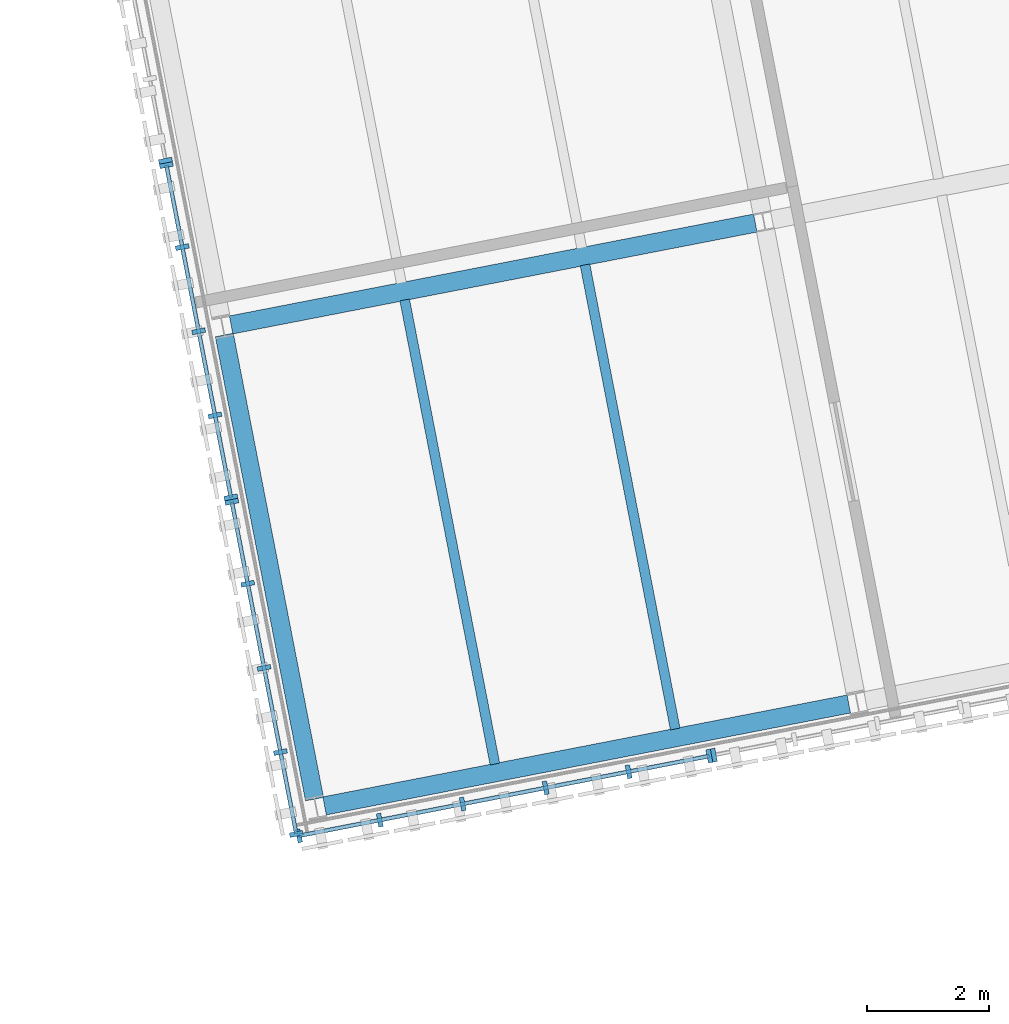
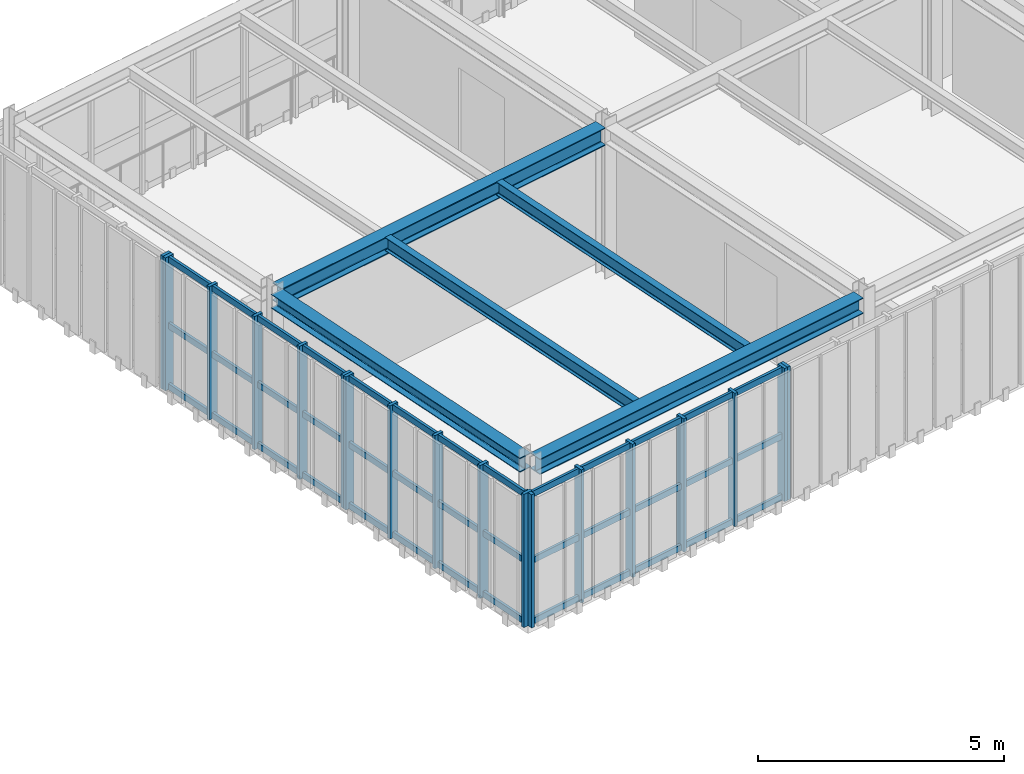
# One storey, part 11 of 44: 27 members, 5 beams, 5 elements without a shape of their own.
"""IFC4 building model written with IfcOpenShell, lengths in metres."""

import ifcopenshell
import ifcopenshell.guid

model = None  # the IFC model being written
_history = None  # IfcOwnerHistory: only IFC2X3 demands one
_inside = {}  # id of a spatial element -> (the spatial element, [elements in it])
_under = {}  # id of a project, library or spatial element -> (it, [spatial elements below it])
_declared = {}  # id of a project -> (the project, [libraries it declares])
_typed = {}  # id of a type object -> (the type object, [elements of that type])
_made_of = {}  # id of a material, layer set ... -> (it, [elements and type objects made of it])


def new_model(schema):
    """Start an empty IFC model of exactly this schema.

    Asked for "IFC4X3", IfcOpenShell would pick the latest addendum, in which some entities
    have other attributes; the version numbers below select the first issue.
    IFC2X3 requires an IfcOwnerHistory on every rooted entity: one is made here for all.
    """
    global model, _history
    if schema == "IFC4X3":
        model = ifcopenshell.file(schema_version=(4, 3, 0, 0))
    else:
        model = ifcopenshell.file(schema=schema)
    _inside.clear()
    _under.clear()
    _declared.clear()
    _typed.clear()
    _made_of.clear()
    _history = None
    if model.schema == "IFC2X3":
        org = make("IfcOrganization", Name="unknown")
        user = make(
            "IfcPersonAndOrganization",
            ThePerson=make("IfcPerson", FamilyName="unknown"),
            TheOrganization=org,
        )
        app = make(
            "IfcApplication",
            ApplicationDeveloper=org,
            Version="unknown",
            ApplicationFullName="unknown",
            ApplicationIdentifier="unknown",
        )
        _history = make(
            "IfcOwnerHistory",
            OwningUser=user,
            OwningApplication=app,
            ChangeAction="ADDED",
            CreationDate=0,
        )
    return model


def make(cls, **values):
    """One entity of the class cls with the attributes given. An attribute that is None is left unset."""
    return model.create_entity(
        cls, **{name: value for name, value in values.items() if value is not None}
    )


def rooted(cls, **values):
    """An entity with a GlobalId (a new one), such as an element, a storey or a relation."""
    return make(cls, GlobalId=ifcopenshell.guid.new(), OwnerHistory=_history, **values)


def si_unit(unit_type, name, prefix=None):
    """IfcSIUnit, for example si_unit("LENGTHUNIT", "METRE", prefix="MILLI")."""
    return make("IfcSIUnit", UnitType=unit_type, Prefix=prefix, Name=name)


def assignment(units):
    """IfcUnitAssignment: the units of a project."""
    return None if units is None else make("IfcUnitAssignment", Units=units)


def point(xyz):
    """IfcCartesianPoint."""
    return None if xyz is None else make("IfcCartesianPoint", Coordinates=xyz)


def direction(xyz):
    """IfcDirection."""
    return None if xyz is None else make("IfcDirection", DirectionRatios=xyz)


def frame(location, z_axis=None, x_axis=None):
    """IfcAxis2Placement3D, a coordinate frame: its origin and axes. An axis left out is left unset."""
    return make(
        "IfcAxis2Placement3D",
        Location=point(location),
        Axis=direction(z_axis),
        RefDirection=direction(x_axis),
    )


def frame_2d(location, x_axis=None):
    """IfcAxis2Placement2D, a coordinate frame in the plane: its origin and x axis."""
    return make(
        "IfcAxis2Placement2D", Location=point(location), RefDirection=direction(x_axis)
    )


def origin():
    """The frame at (0, 0, 0) with its axes left unset."""
    return frame((0.0, 0.0, 0.0))


def origin_2d():
    """The frame at (0, 0) in the plane with its x axis left unset."""
    return frame_2d((0.0, 0.0))


def place(relative_to, where):
    """IfcLocalPlacement: puts the frame where relative to a parent placement (None: the world)."""
    return make(
        "IfcLocalPlacement", PlacementRelTo=relative_to, RelativePlacement=where
    )


def context(
    kind, dimensions, precision=None, world=None, true_north=None, identifier=None
):
    """IfcGeometricRepresentationContext, for example the 3D "Model" context."""
    return make(
        "IfcGeometricRepresentationContext",
        ContextIdentifier=identifier,
        ContextType=kind,
        CoordinateSpaceDimension=dimensions,
        Precision=precision,
        WorldCoordinateSystem=world,
        TrueNorth=true_north,
    )


def subcontext(parent, identifier, kind, view, scale=None):
    """IfcGeometricRepresentationSubContext, for example "Body" below "Model"."""
    return make(
        "IfcGeometricRepresentationSubContext",
        ContextIdentifier=identifier,
        ContextType=kind,
        ParentContext=parent,
        TargetScale=scale,
        TargetView=view,
    )


def project(units=None, contexts=None):
    """IfcProject with its units and contexts."""
    return rooted(
        "IfcProject",
        Name="project",
        RepresentationContexts=contexts,
        UnitsInContext=assignment(units),
    )


def spatial(cls, under=None, at=None, **own):
    """A site, building, storey or space (cls), placed at a placement, below another one or the project."""
    s = rooted(cls, ObjectPlacement=at, **own)
    if under is not None:
        _under.setdefault(under.id(), (under, []))[1].append(s)
    return s


def profile(cls, at=None, kind="AREA", **sizes):
    """A parametric profile (cls). Its sizes go by their IFC names, for example OverallWidth=200.0."""
    return make(cls, ProfileType=kind, Position=at, **sizes)


def rectangle(**sizes):
    """IfcRectangleProfileDef."""
    return profile("IfcRectangleProfileDef", **sizes)


def i_section(**sizes):
    """IfcIShapeProfileDef."""
    return profile("IfcIShapeProfileDef", **sizes)


def extrude(swept, where, along, depth):
    """IfcExtrudedAreaSolid: the profile swept, set in the frame where, extruded along a direction by depth."""
    return make(
        "IfcExtrudedAreaSolid",
        SweptArea=swept,
        Position=where,
        ExtrudedDirection=direction(along),
        Depth=depth,
    )


def shape(context_of_items, identifier, shape_type, items):
    """IfcShapeRepresentation: the items that make up one representation, for example the "Body"."""
    return make(
        "IfcShapeRepresentation",
        ContextOfItems=context_of_items,
        RepresentationIdentifier=identifier,
        RepresentationType=shape_type,
        Items=items,
    )


def material(Name=None, Category=None):
    """IfcMaterial."""
    return make("IfcMaterial", Name=Name, Category=Category)


def material_profile(
    of_material, cross_section, Name=None, Category=None, Priority=None
):
    """IfcMaterialProfile: a cross section and its material."""
    return make(
        "IfcMaterialProfile",
        Name=Name,
        Material=of_material,
        Profile=cross_section,
        Priority=Priority,
        Category=Category,
    )


def profile_set(profiles, Name=None, composite=None):
    """IfcMaterialProfileSet."""
    return make(
        "IfcMaterialProfileSet",
        Name=Name,
        MaterialProfiles=profiles,
        CompositeProfile=composite,
    )


def made_of(thing, what):
    """Note that an element or type object is made of a material, layer set ...; save() writes the relation."""
    if what is not None:
        _made_of.setdefault(what.id(), (what, []))[1].append(thing)
    return thing


def type_object(cls, material=None, **own):
    """A type object (cls), such as IfcWallType, which elements share."""
    return made_of(rooted(cls, **own), material)


def element(
    cls,
    number,
    at=None,
    inside=None,
    cuts=None,
    type_object=None,
    material=None,
    context=None,
    identifier="Body",
    shape_type=None,
    held_by="IfcProductDefinitionShape",
    body=None,
    shapes=None,
    **own,
):
    """One element of the class cls, such as IfcWall. Its Tag is "e" and its number.

    at: its placement. inside: the storey or other place that contains it. cuts: it is an
    opening in that element (IfcRelVoidsElement). A single representation is given by context,
    identifier, shape_type and body (its items); several are given by shapes. held_by: the class
    of the entity that holds the representations. save() writes the other relations.
    """
    e = rooted(cls, Tag="e%d" % number, ObjectPlacement=at, **own)
    if body is not None:
        shapes = [shape(context, identifier, shape_type, body)]
    if shapes is not None:
        e.Representation = make(held_by, Representations=shapes)
    if inside is not None:
        _inside.setdefault(inside.id(), (inside, []))[1].append(e)
    if cuts is not None:
        rooted(
            "IfcRelVoidsElement", RelatingBuildingElement=cuts, RelatedOpeningElement=e
        )
    if type_object is not None:
        _typed.setdefault(type_object.id(), (type_object, []))[1].append(e)
    return made_of(e, material)


def aggregate(whole, parts):
    """IfcRelAggregates: a whole, such as a stair, and the parts it consists of."""
    return rooted("IfcRelAggregates", RelatingObject=whole, RelatedObjects=parts)


def save(model, path):
    """Write the relations noted so far, then the file.

    IfcRelAggregates (storeys below a building ...), IfcRelContainedInSpatialStructure (elements
    in a storey), IfcRelDefinesByType, IfcRelAssociatesMaterial and IfcRelDeclares: one each for
    every whole, place, type object, material and project.
    """
    for whole, parts in _under.values():
        aggregate(whole, parts)
    for where, things in _inside.values():
        rooted(
            "IfcRelContainedInSpatialStructure",
            RelatedElements=things,
            RelatingStructure=where,
        )
    for kind, things in _typed.values():
        rooted("IfcRelDefinesByType", RelatedObjects=things, RelatingType=kind)
    for what, things in _made_of.values():
        rooted("IfcRelAssociatesMaterial", RelatedObjects=things, RelatingMaterial=what)
    for by, libraries in _declared.values():
        rooted("IfcRelDeclares", RelatingContext=by, RelatedDefinitions=libraries)
    model.write(path)


model = new_model("IFC4")

# Units and contexts
model_context = context("Model", 3, precision=1e-05, world=origin(), true_north=direction((0.0, 1.0)))
body_context = subcontext(model_context, "Body", "Model", "MODEL_VIEW")
ifc_project = project(units=[si_unit("LENGTHUNIT", "METRE"), si_unit("AREAUNIT", "SQUARE_METRE"), si_unit("VOLUMEUNIT", "CUBIC_METRE"), si_unit("PLANEANGLEUNIT", "RADIAN"), si_unit("MASSUNIT", "GRAM", prefix="KILO")], contexts=[model_context])

# Site, building, storey
site_placement = place(None, origin())
site = spatial("IfcSite", under=ifc_project, at=site_placement, CompositionType="ELEMENT")
building_placement = place(site_placement, origin())
building = spatial("IfcBuilding", under=site, at=building_placement, Name="Varnklinge Art Gallery", CompositionType="ELEMENT")
storey_placement = place(building_placement, frame((0.0, 0.0, 13.679931640625)))
storey = spatial("IfcBuildingStorey", under=building, at=storey_placement, Name="L03", CompositionType="ELEMENT", Elevation=13.679931640625)

# Beams
ifc_material_1 = material(Name="Steel S355", Category="steel")
ifc_material_profile_1 = material_profile(ifc_material_1, i_section(OverallWidth=0.300048828125, OverallDepth=0.43994140625, WebThickness=0.011474609375, FlangeThickness=0.02099609375, FilletRadius=0.027099609375, at=origin_2d()), Name="HEA 450")
ifc_profile_set_1 = profile_set([ifc_material_profile_1], Name="Steel S355")
beam_type_1 = type_object("IfcBeamType", Name="BM-08", PredefinedType="BEAM", material=ifc_profile_set_1)
beam_1_placement = place(storey_placement, frame((62.483642578125, 69.969970703125, 3.5400390625), z_axis=(0.981628064538, 0.190804462503, 0.0), x_axis=(-0.190804462503, 0.981628064538, 0.0)))
element("IfcBeam", 1, at=beam_1_placement, inside=storey, type_object=beam_type_1, Name="L03 BM-08 BM-V4B-L04-U1-0", PredefinedType="BEAM", context=body_context, shape_type="SweptSolid", body=[
    extrude(i_section(OverallWidth=0.300048828125, OverallDepth=0.43994140625, WebThickness=0.011474609375, FlangeThickness=0.02099609375, FilletRadius=0.027099609375, at=origin_2d()), origin(), (0.0, 0.0, 1.0), 8.719970703125),
])
ifc_material_2 = material(Name="Steel S355", Category="steel")
ifc_material_profile_2 = material_profile(ifc_material_2, i_section(OverallWidth=0.159912109375, OverallDepth=0.330078125, WebThickness=0.007568359375, FlangeThickness=0.011474609375, FilletRadius=0.01806640625, at=origin_2d()), Name="IPE 330")
ifc_profile_set_2 = profile_set([ifc_material_profile_2], Name="Steel S355")
beam_type_2 = type_object("IfcBeamType", Name="JST-07", PredefinedType="JOIST", material=ifc_profile_set_2)
beam_2_placement = place(storey_placement, frame((66.791015625, 62.800048828125, 3.594970703125), z_axis=(-0.190822257393, 0.98162460548, 0.0), x_axis=(-0.98162460548, -0.190822257393, 0.0)))
element("IfcBeam", 2, at=beam_2_placement, inside=storey, type_object=beam_type_2, Name="L03 JST-07 JST-V4B-L04-0-0-1", PredefinedType="JOIST", context=body_context, shape_type="SweptSolid", body=[
    extrude(i_section(OverallWidth=0.159912109375, OverallDepth=0.330078125, WebThickness=0.007568359375, FlangeThickness=0.011474609375, FilletRadius=0.01806640625, at=origin_2d()), origin(), (0.0, 0.0, 1.0), 7.719970703125),
])
beam_3_placement = place(storey_placement, frame((69.735595703125, 63.372314453125, 3.594970703125), z_axis=(-0.190785861445, 0.981631679946, 0.0), x_axis=(-0.981631679946, -0.190785861445, 0.0)))
element("IfcBeam", 3, at=beam_3_placement, inside=storey, type_object=beam_type_2, Name="L03 JST-07 JST-V4B-L04-0-0-2", PredefinedType="JOIST", context=body_context, shape_type="SweptSolid", body=[
    extrude(i_section(OverallWidth=0.159912109375, OverallDepth=0.330078125, WebThickness=0.007568359375, FlangeThickness=0.011474609375, FilletRadius=0.01806640625, at=origin_2d()), origin(), (0.0, 0.0, 1.0), 7.72021484375),
])

# Curtain wall, members
ifc_material_3 = material(Name="Anodised Aluminium", Category="aluminium")
curtain_wall_type_1 = type_object("IfcCurtainWallType", Name="CW-L04", PredefinedType="USERDEFINED", material=ifc_material_3)
curtain_wall_1_placement = place(storey_placement, origin())
curtain_wall_1 = element("IfcCurtainWall", 4, at=curtain_wall_1_placement, inside=storey, type_object=curtain_wall_type_1, Name="L03 Curtain Wall CW-V4B-L03-1-1-1", ObjectType="UNITISED CURTAIN WALL", PredefinedType="USERDEFINED")
ifc_material_4 = material(Name="Anodised Aluminium", Category="aluminium")
ifc_material_profile_3 = material_profile(ifc_material_4, rectangle(XDim=0.074951171875, YDim=0.219970703125, at=origin_2d()), Name="ALU 75x220")
ifc_profile_set_3 = profile_set([ifc_material_profile_3], Name="Anodised Aluminium")
member_type_1 = type_object("IfcMemberType", Name="MUL-02", PredefinedType="MULLION", material=ifc_profile_set_3)
member_1_placement = place(storey_placement, frame((63.593017578125, 61.62841796875, 0.0), z_axis=(0.0, 0.0, 1.0), x_axis=(0.981627183448, 0.190808995377, 0.0)))
member_1 = element("IfcMember", 5, at=member_1_placement, type_object=member_type_1, Name="CW-V4B-L03-1-1-1 Mullion 1", PredefinedType="MULLION", context=body_context, shape_type="SweptSolid", body=[
    extrude(rectangle(XDim=0.074951171875, YDim=0.219970703125, at=origin_2d()), origin(), (0.0, 0.0, 1.0), 3.31005859375),
])
member_2_placement = place(storey_placement, frame((64.910888671875, 61.884521484375, 0.0), z_axis=(0.0, 0.0, 1.0), x_axis=(0.981627183448, 0.190808995377, 0.0)))
member_2 = element("IfcMember", 6, at=member_2_placement, type_object=member_type_1, Name="CW-V4B-L03-1-1-1 Mullion 2", PredefinedType="MULLION", context=body_context, shape_type="SweptSolid", body=[
    extrude(rectangle(XDim=0.074951171875, YDim=0.219970703125, at=origin_2d()), origin(), (0.0, 0.0, 1.0), 3.31005859375),
])
member_3_placement = place(storey_placement, frame((66.265625, 62.147705078125, 0.0), z_axis=(0.0, 0.0, 1.0), x_axis=(0.981627183448, 0.190808995377, 0.0)))
member_3 = element("IfcMember", 7, at=member_3_placement, type_object=member_type_1, Name="CW-V4B-L03-1-1-1 Mullion 3", PredefinedType="MULLION", context=body_context, shape_type="SweptSolid", body=[
    extrude(rectangle(XDim=0.074951171875, YDim=0.219970703125, at=origin_2d()), origin(), (0.0, 0.0, 1.0), 3.31005859375),
])
member_4_placement = place(storey_placement, frame((67.6201171875, 62.4111328125, 0.0), z_axis=(0.0, 0.0, 1.0), x_axis=(0.981627183448, 0.190808995377, 0.0)))
member_4 = element("IfcMember", 8, at=member_4_placement, type_object=member_type_1, Name="CW-V4B-L03-1-1-1 Mullion 4", PredefinedType="MULLION", context=body_context, shape_type="SweptSolid", body=[
    extrude(rectangle(XDim=0.074951171875, YDim=0.219970703125, at=origin_2d()), origin(), (0.0, 0.0, 1.0), 3.31005859375),
])
member_5_placement = place(storey_placement, frame((68.974853515625, 62.674560546875, 0.0), z_axis=(0.0, 0.0, 1.0), x_axis=(0.981627183448, 0.190808995377, 0.0)))
member_5 = element("IfcMember", 9, at=member_5_placement, type_object=member_type_1, Name="CW-V4B-L03-1-1-1 Mullion 5", PredefinedType="MULLION", context=body_context, shape_type="SweptSolid", body=[
    extrude(rectangle(XDim=0.074951171875, YDim=0.219970703125, at=origin_2d()), origin(), (0.0, 0.0, 1.0), 3.31005859375),
])
member_6_placement = place(storey_placement, frame((70.292724609375, 62.9306640625, 0.0), z_axis=(0.0, 0.0, 1.0), x_axis=(0.981627183448, 0.190808995377, 0.0)))
member_6 = element("IfcMember", 10, at=member_6_placement, type_object=member_type_1, Name="CW-V4B-L03-1-1-1 Mullion 6", PredefinedType="MULLION", context=body_context, shape_type="SweptSolid", body=[
    extrude(rectangle(XDim=0.074951171875, YDim=0.219970703125, at=origin_2d()), origin(), (0.0, 0.0, 1.0), 3.31005859375),
])

# Curtain wall, member
curtain_wall_2_placement = place(storey_placement, origin())
curtain_wall_2 = element("IfcCurtainWall", 11, at=curtain_wall_2_placement, inside=storey, type_object=curtain_wall_type_1, Name="L03 Curtain Wall CW-V4B-L03-1-1-2", ObjectType="UNITISED CURTAIN WALL", PredefinedType="USERDEFINED")
member_7_placement = place(storey_placement, frame((70.3662109375, 62.945068359375, 0.0), z_axis=(0.0, 0.0, 1.0), x_axis=(0.981627183448, 0.190808995377, 0.0)))
member_7 = element("IfcMember", 12, at=member_7_placement, type_object=member_type_1, Name="CW-V4B-L03-1-1-2 Mullion 1", PredefinedType="MULLION", context=body_context, shape_type="SweptSolid", body=[
    extrude(rectangle(XDim=0.074951171875, YDim=0.219970703125, at=origin_2d()), origin(), (0.0, 0.0, 1.0), 3.31005859375),
])
aggregate(curtain_wall_2, [member_7])

ifc_material_5 = material(Name="Anodised Aluminium", Category="aluminium")
curtain_wall_type_2 = type_object("IfcCurtainWallType", Name="CW-L08", PredefinedType="USERDEFINED", material=ifc_material_5)
curtain_wall_3_placement = place(storey_placement, origin())
curtain_wall_3 = element("IfcCurtainWall", 13, at=curtain_wall_3_placement, inside=storey, type_object=curtain_wall_type_2, Name="L03 Curtain Wall CW-V4B-L03-4-1-1", ObjectType="UNITISED CURTAIN WALL", PredefinedType="USERDEFINED")
member_8_placement = place(storey_placement, frame((61.412109375, 72.652099609375, 0.0), z_axis=(0.0, 0.0, 1.0), x_axis=(0.190808995377, -0.981627183448, 0.0)))
member_8 = element("IfcMember", 14, at=member_8_placement, type_object=member_type_1, Name="CW-V4B-L03-4-1-1 Mullion 5", PredefinedType="MULLION", context=body_context, shape_type="SweptSolid", body=[
    extrude(rectangle(XDim=0.074951171875, YDim=0.219970703125, at=origin_2d()), origin(), (0.0, 0.0, 1.0), 3.31005859375),
])
aggregate(curtain_wall_3, [member_8])

# Curtain wall, members
curtain_wall_4_placement = place(storey_placement, origin())
curtain_wall_4 = element("IfcCurtainWall", 15, at=curtain_wall_4_placement, inside=storey, type_object=curtain_wall_type_2, Name="L03 Curtain Wall CW-V4B-L03-4-1-2", ObjectType="UNITISED CURTAIN WALL", PredefinedType="USERDEFINED")
member_9_placement = place(storey_placement, frame((61.426513671875, 72.57861328125, 0.0), z_axis=(0.0, 0.0, 1.0), x_axis=(0.190808995377, -0.981627183448, 0.0)))
member_9 = element("IfcMember", 16, at=member_9_placement, type_object=member_type_1, Name="CW-V4B-L03-4-1-2 Mullion 1", PredefinedType="MULLION", context=body_context, shape_type="SweptSolid", body=[
    extrude(rectangle(XDim=0.074951171875, YDim=0.219970703125, at=origin_2d()), origin(), (0.0, 0.0, 1.0), 3.31005859375),
])
member_10_placement = place(storey_placement, frame((61.686279296875, 71.2412109375, 0.0), z_axis=(0.0, 0.0, 1.0), x_axis=(0.190808995377, -0.981627183448, 0.0)))
member_10 = element("IfcMember", 17, at=member_10_placement, type_object=member_type_1, Name="CW-V4B-L03-4-1-2 Mullion 2", PredefinedType="MULLION", context=body_context, shape_type="SweptSolid", body=[
    extrude(rectangle(XDim=0.074951171875, YDim=0.219970703125, at=origin_2d()), origin(), (0.0, 0.0, 1.0), 3.31005859375),
])
member_11_placement = place(storey_placement, frame((61.95361328125, 69.86669921875, 0.0), z_axis=(0.0, 0.0, 1.0), x_axis=(0.190808995377, -0.981627183448, 0.0)))
member_11 = element("IfcMember", 18, at=member_11_placement, type_object=member_type_1, Name="CW-V4B-L03-4-1-2 Mullion 3", PredefinedType="MULLION", context=body_context, shape_type="SweptSolid", body=[
    extrude(rectangle(XDim=0.074951171875, YDim=0.219970703125, at=origin_2d()), origin(), (0.0, 0.0, 1.0), 3.31005859375),
])
member_12_placement = place(storey_placement, frame((62.220703125, 68.49267578125, 0.0), z_axis=(0.0, 0.0, 1.0), x_axis=(0.190808995377, -0.981627183448, 0.0)))
member_12 = element("IfcMember", 19, at=member_12_placement, type_object=member_type_1, Name="CW-V4B-L03-4-1-2 Mullion 4", PredefinedType="MULLION", context=body_context, shape_type="SweptSolid", body=[
    extrude(rectangle(XDim=0.074951171875, YDim=0.219970703125, at=origin_2d()), origin(), (0.0, 0.0, 1.0), 3.31005859375),
])
member_13_placement = place(storey_placement, frame((62.480712890625, 67.155029296875, 0.0), z_axis=(0.0, 0.0, 1.0), x_axis=(0.190808995377, -0.981627183448, 0.0)))
member_13 = element("IfcMember", 20, at=member_13_placement, type_object=member_type_1, Name="CW-V4B-L03-4-1-2 Mullion 5", PredefinedType="MULLION", context=body_context, shape_type="SweptSolid", body=[
    extrude(rectangle(XDim=0.074951171875, YDim=0.219970703125, at=origin_2d()), origin(), (0.0, 0.0, 1.0), 3.31005859375),
])

curtain_wall_5_placement = place(storey_placement, origin())
curtain_wall_5 = element("IfcCurtainWall", 21, at=curtain_wall_5_placement, inside=storey, type_object=curtain_wall_type_2, Name="L03 Curtain Wall CW-V4B-L03-4-1-3", ObjectType="UNITISED CURTAIN WALL", PredefinedType="USERDEFINED")
member_14_placement = place(storey_placement, frame((62.4951171875, 67.08154296875, 0.0), z_axis=(0.0, 0.0, 1.0), x_axis=(0.190808995377, -0.981627183448, 0.0)))
member_14 = element("IfcMember", 22, at=member_14_placement, type_object=member_type_1, Name="CW-V4B-L03-4-1-3 Mullion 1", PredefinedType="MULLION", context=body_context, shape_type="SweptSolid", body=[
    extrude(rectangle(XDim=0.074951171875, YDim=0.219970703125, at=origin_2d()), origin(), (0.0, 0.0, 1.0), 3.31005859375),
])
member_15_placement = place(storey_placement, frame((62.7548828125, 65.743896484375, 0.0), z_axis=(0.0, 0.0, 1.0), x_axis=(0.190808995377, -0.981627183448, 0.0)))
member_15 = element("IfcMember", 23, at=member_15_placement, type_object=member_type_1, Name="CW-V4B-L03-4-1-3 Mullion 2", PredefinedType="MULLION", context=body_context, shape_type="SweptSolid", body=[
    extrude(rectangle(XDim=0.074951171875, YDim=0.219970703125, at=origin_2d()), origin(), (0.0, 0.0, 1.0), 3.31005859375),
])
member_16_placement = place(storey_placement, frame((63.022216796875, 64.369873046875, 0.0), z_axis=(0.0, 0.0, 1.0), x_axis=(0.190808995377, -0.981627183448, 0.0)))
member_16 = element("IfcMember", 24, at=member_16_placement, type_object=member_type_1, Name="CW-V4B-L03-4-1-3 Mullion 3", PredefinedType="MULLION", context=body_context, shape_type="SweptSolid", body=[
    extrude(rectangle(XDim=0.074951171875, YDim=0.219970703125, at=origin_2d()), origin(), (0.0, 0.0, 1.0), 3.31005859375),
])
member_17_placement = place(storey_placement, frame((63.289306640625, 62.99560546875, 0.0), z_axis=(0.0, 0.0, 1.0), x_axis=(0.190808995377, -0.981627183448, 0.0)))
member_17 = element("IfcMember", 25, at=member_17_placement, type_object=member_type_1, Name="CW-V4B-L03-4-1-3 Mullion 4", PredefinedType="MULLION", context=body_context, shape_type="SweptSolid", body=[
    extrude(rectangle(XDim=0.074951171875, YDim=0.219970703125, at=origin_2d()), origin(), (0.0, 0.0, 1.0), 3.31005859375),
])
member_18_placement = place(storey_placement, frame((63.549072265625, 61.657958984375, 0.0), z_axis=(0.0, 0.0, 1.0), x_axis=(0.190808995377, -0.981627183448, 0.0)))
member_18 = element("IfcMember", 26, at=member_18_placement, type_object=member_type_1, Name="CW-V4B-L03-4-1-3 Mullion 5", PredefinedType="MULLION", context=body_context, shape_type="SweptSolid", body=[
    extrude(rectangle(XDim=0.074951171875, YDim=0.219970703125, at=origin_2d()), origin(), (0.0, 0.0, 1.0), 3.31005859375),
])

# Beams
ifc_material_6 = material(Name="Steel S355", Category="steel")
ifc_material_profile_4 = material_profile(ifc_material_6, i_section(OverallWidth=0.300048828125, OverallDepth=0.389892578125, WebThickness=0.010986328125, FlangeThickness=0.01904296875, FilletRadius=0.027099609375, at=origin_2d()), Name="HEA 400")
ifc_profile_set_4 = profile_set([ifc_material_profile_4], Name="Steel S355")
beam_type_3 = type_object("IfcBeamType", Name="SPB-03", PredefinedType="SPANDREL", material=ifc_profile_set_4)
beam_4_placement = place(storey_placement, frame((64.010009765625, 62.11669921875, 3.565185546875), z_axis=(0.98162282025, 0.190831440713, 0.0), x_axis=(-0.190831440713, 0.98162282025, 0.0)))
element("IfcBeam", 27, at=beam_4_placement, inside=storey, type_object=beam_type_3, Name="L03 SPB-03 BM-V4B-L04-U0-0", PredefinedType="SPANDREL", context=body_context, shape_type="SweptSolid", body=[
    extrude(i_section(OverallWidth=0.300048828125, OverallDepth=0.389892578125, WebThickness=0.010986328125, FlangeThickness=0.01904296875, FilletRadius=0.027099609375, at=origin_2d()), origin(), (0.0, 0.0, 1.0), 8.719970703125),
])
ifc_material_7 = material(Name="Steel S355", Category="steel")
ifc_material_profile_5 = material_profile(ifc_material_7, i_section(OverallWidth=0.300048828125, OverallDepth=0.35009765625, WebThickness=0.010009765625, FlangeThickness=0.017578125, FilletRadius=0.027099609375, at=origin_2d()), Name="HEA 360")
ifc_profile_set_5 = profile_set([ifc_material_profile_5], Name="Steel S355")
beam_type_4 = type_object("IfcBeamType", Name="SPB-04", PredefinedType="SPANDREL", material=ifc_profile_set_5)
beam_5_placement = place(storey_placement, frame((63.845947265625, 62.2275390625, 3.5849609375), z_axis=(-0.190816333803, 0.981625756974, 0.0), x_axis=(-0.981625756974, -0.190816333803, 0.0)))
element("IfcBeam", 28, at=beam_5_placement, inside=storey, type_object=beam_type_4, Name="L03 SPB-04 BM-V4B-L04-V0-0", PredefinedType="SPANDREL", context=body_context, shape_type="SweptSolid", body=[
    extrude(i_section(OverallWidth=0.300048828125, OverallDepth=0.35009765625, WebThickness=0.010009765625, FlangeThickness=0.017578125, FilletRadius=0.027099609375, at=origin_2d()), origin(), (0.0, 0.0, 1.0), 7.72021484375),
])

# Member
ifc_material_8 = material(Name="Anodised Aluminium", Category="aluminium")
ifc_material_profile_6 = material_profile(ifc_material_8, rectangle(XDim=0.06494140625, YDim=0.14990234375, at=origin_2d()), Name="ALU 65x150")
ifc_profile_set_6 = profile_set([ifc_material_profile_6], Name="Anodised Aluminium")
member_type_2 = type_object("IfcMemberType", Name="TRN-01", PredefinedType="USERDEFINED", material=ifc_profile_set_6)
member_19_placement = place(storey_placement, frame((63.593017578125, 61.62841796875, 0.074951171875), z_axis=(0.981628419203, 0.190802637855, 0.0), x_axis=(-0.190802637855, 0.981628419203, 0.0)))
member_19 = element("IfcMember", 29, at=member_19_placement, type_object=member_type_2, Name="CW-V4B-L03-1-1-1 Transom 1", ObjectType="TRANSOM", PredefinedType="USERDEFINED", context=body_context, shape_type="SweptSolid", body=[
    extrude(rectangle(XDim=0.06494140625, YDim=0.14990234375, at=origin_2d()), origin(), (0.0, 0.0, 1.0), 6.8251953125),
])

member_20_placement = place(storey_placement, frame((63.593017578125, 61.62841796875, 1.5888671875), z_axis=(0.981628419203, 0.190802637855, 0.0), x_axis=(-0.190802637855, 0.981628419203, 0.0)))
member_20 = element("IfcMember", 30, at=member_20_placement, type_object=member_type_2, Name="CW-V4B-L03-1-1-1 Transom 2", ObjectType="TRANSOM", PredefinedType="USERDEFINED", context=body_context, shape_type="SweptSolid", body=[
    extrude(rectangle(XDim=0.06494140625, YDim=0.14990234375, at=origin_2d()), origin(), (0.0, 0.0, 1.0), 6.8251953125),
])

member_21_placement = place(storey_placement, frame((63.593017578125, 61.62841796875, 3.235107421875), z_axis=(0.981628419203, 0.190802637855, 0.0), x_axis=(-0.190802637855, 0.981628419203, 0.0)))
member_21 = element("IfcMember", 31, at=member_21_placement, type_object=member_type_2, Name="CW-V4B-L03-1-1-1 Transom 3", ObjectType="TRANSOM", PredefinedType="USERDEFINED", context=body_context, shape_type="SweptSolid", body=[
    extrude(rectangle(XDim=0.06494140625, YDim=0.14990234375, at=origin_2d()), origin(), (0.0, 0.0, 1.0), 6.8251953125),
])

aggregate(curtain_wall_1, [member_1, member_2, member_3, member_4, member_5, member_6, member_19, member_20, member_21])

member_22_placement = place(storey_placement, frame((61.426513671875, 72.57861328125, 0.074951171875), z_axis=(0.190802243749, -0.981628495807, 0.0), x_axis=(0.981628495807, 0.190802243749, 0.0)))
member_22 = element("IfcMember", 32, at=member_22_placement, type_object=member_type_2, Name="CW-V4B-L03-4-1-2 Transom 1", ObjectType="TRANSOM", PredefinedType="USERDEFINED", context=body_context, shape_type="SweptSolid", body=[
    extrude(rectangle(XDim=0.06494140625, YDim=0.14990234375, at=origin_2d()), origin(), (0.0, 0.0, 1.0), 5.525146484375),
])

member_23_placement = place(storey_placement, frame((61.426513671875, 72.57861328125, 1.5888671875), z_axis=(0.190802243749, -0.981628495807, 0.0), x_axis=(0.981628495807, 0.190802243749, 0.0)))
member_23 = element("IfcMember", 33, at=member_23_placement, type_object=member_type_2, Name="CW-V4B-L03-4-1-2 Transom 2", ObjectType="TRANSOM", PredefinedType="USERDEFINED", context=body_context, shape_type="SweptSolid", body=[
    extrude(rectangle(XDim=0.06494140625, YDim=0.14990234375, at=origin_2d()), origin(), (0.0, 0.0, 1.0), 5.525146484375),
])

member_24_placement = place(storey_placement, frame((61.426513671875, 72.57861328125, 3.235107421875), z_axis=(0.190802243749, -0.981628495807, 0.0), x_axis=(0.981628495807, 0.190802243749, 0.0)))
member_24 = element("IfcMember", 34, at=member_24_placement, type_object=member_type_2, Name="CW-V4B-L03-4-1-2 Transom 3", ObjectType="TRANSOM", PredefinedType="USERDEFINED", context=body_context, shape_type="SweptSolid", body=[
    extrude(rectangle(XDim=0.06494140625, YDim=0.14990234375, at=origin_2d()), origin(), (0.0, 0.0, 1.0), 5.525146484375),
])

aggregate(curtain_wall_4, [member_9, member_10, member_11, member_12, member_13, member_22, member_23, member_24])

member_25_placement = place(storey_placement, frame((62.4951171875, 67.08154296875, 0.074951171875), z_axis=(0.190759664241, -0.981636771163, 0.0), x_axis=(0.981636771163, 0.190759664241, 0.0)))
member_25 = element("IfcMember", 35, at=member_25_placement, type_object=member_type_2, Name="CW-V4B-L03-4-1-3 Transom 1", ObjectType="TRANSOM", PredefinedType="USERDEFINED", context=body_context, shape_type="SweptSolid", body=[
    extrude(rectangle(XDim=0.06494140625, YDim=0.14990234375, at=origin_2d()), origin(), (0.0, 0.0, 1.0), 5.525146484375),
])

member_26_placement = place(storey_placement, frame((62.4951171875, 67.08154296875, 1.5888671875), z_axis=(0.190759664241, -0.981636771163, 0.0), x_axis=(0.981636771163, 0.190759664241, 0.0)))
member_26 = element("IfcMember", 36, at=member_26_placement, type_object=member_type_2, Name="CW-V4B-L03-4-1-3 Transom 2", ObjectType="TRANSOM", PredefinedType="USERDEFINED", context=body_context, shape_type="SweptSolid", body=[
    extrude(rectangle(XDim=0.06494140625, YDim=0.14990234375, at=origin_2d()), origin(), (0.0, 0.0, 1.0), 5.525146484375),
])

member_27_placement = place(storey_placement, frame((62.4951171875, 67.08154296875, 3.235107421875), z_axis=(0.190759664241, -0.981636771163, 0.0), x_axis=(0.981636771163, 0.190759664241, 0.0)))
member_27 = element("IfcMember", 37, at=member_27_placement, type_object=member_type_2, Name="CW-V4B-L03-4-1-3 Transom 3", ObjectType="TRANSOM", PredefinedType="USERDEFINED", context=body_context, shape_type="SweptSolid", body=[
    extrude(rectangle(XDim=0.06494140625, YDim=0.14990234375, at=origin_2d()), origin(), (0.0, 0.0, 1.0), 5.525146484375),
])

aggregate(curtain_wall_5, [member_14, member_15, member_16, member_17, member_18, member_25, member_26, member_27])

save(model, "model.ifc")
